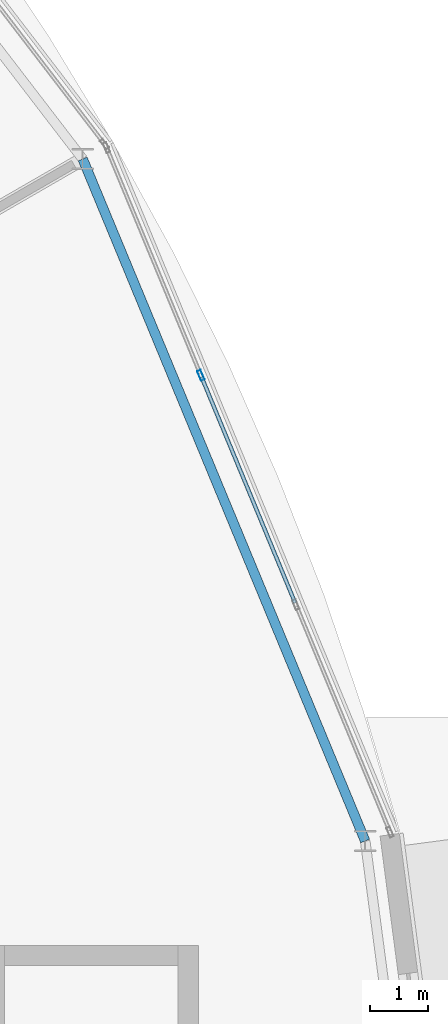
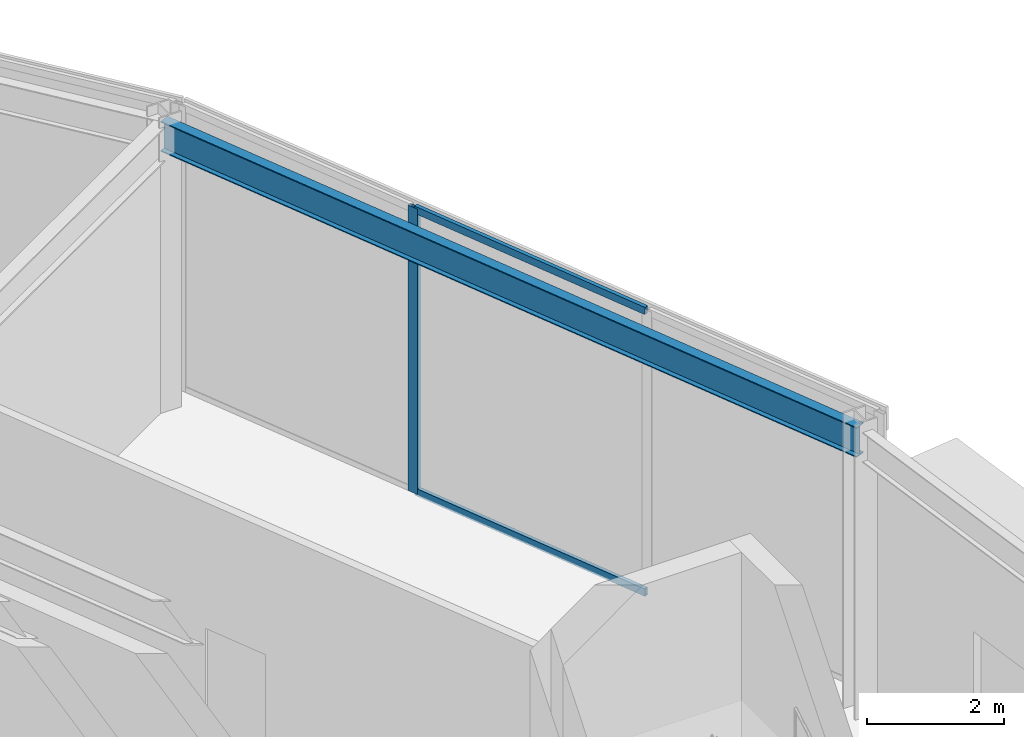
# One storey, part 86 of 168: 3 members, 1 beam, 1 element without a shape of its own.
"""IFC4 building model written with IfcOpenShell, lengths in metres."""

from ifc_helpers import new_model, si_unit, direction, frame, origin, origin_2d, place, context, subcontext, project, spatial, hollow_rectangle, i_section, extrude, material, material_profile, profile_set, type_object, element, aggregate, save


model = new_model("IFC4")

# Units and contexts
model_context = context("Model", 3, precision=1e-05, world=origin(), true_north=direction((0.0, 1.0)))
body_context = subcontext(model_context, "Body", "Model", "MODEL_VIEW")
ifc_project = project(units=[si_unit("LENGTHUNIT", "METRE"), si_unit("AREAUNIT", "SQUARE_METRE"), si_unit("VOLUMEUNIT", "CUBIC_METRE"), si_unit("PLANEANGLEUNIT", "RADIAN"), si_unit("MASSUNIT", "GRAM", prefix="KILO")], contexts=[model_context])

# Site, building, storey
site_placement = place(None, origin())
site = spatial("IfcSite", under=ifc_project, at=site_placement, CompositionType="ELEMENT")
building_placement = place(site_placement, origin())
building = spatial("IfcBuilding", under=site, at=building_placement, Name="Almandine Court Research Institute", CompositionType="ELEMENT")
storey_placement = place(building_placement, origin())
storey = spatial("IfcBuildingStorey", under=building, at=storey_placement, Name="L00", CompositionType="ELEMENT", Elevation=0.0)

# Beam
ifc_material_1 = material(Name="Steel ASTM A992 Grade 50", Category="steel")
ifc_material_profile_1 = material_profile(ifc_material_1, i_section(OverallWidth=0.166015625, OverallDepth=0.534912109375, WebThickness=0.010009765625, FlangeThickness=0.01708984375, at=origin_2d()), Name="W530x85")
ifc_profile_set_1 = profile_set([ifc_material_profile_1], Name="Steel ASTM A992 Grade 50")
beam_type = type_object("IfcBeamType", Name="Beam-G-05-E", PredefinedType="SPANDREL", material=ifc_profile_set_1)
beam_placement = place(storey_placement, frame((134.23388671875, 68.656005859375, 4.802978515625), z_axis=(-0.382653578879, 0.923891897665, 0.0), x_axis=(-0.923891897665, -0.382653578879, 0.0)))
element("IfcBeam", 1, at=beam_placement, inside=storey, type_object=beam_type, Name="L00 Drum OUT Ring Beam 01", PredefinedType="SPANDREL", context=body_context, shape_type="SweptSolid", body=[
    extrude(i_section(OverallWidth=0.166015625, OverallDepth=0.534912109375, WebThickness=0.010009765625, FlangeThickness=0.01708984375, at=origin_2d()), origin(), (0.0, 0.0, 1.0), 12.765625),
])

# Curtain wall, members
ifc_material_2 = material(Name="Unitised Curtain Wall Framing and Solar Glazing", Category="glass")
curtain_wall_type = type_object("IfcCurtainWallType", Name="CW-CWJ-17", PredefinedType="USERDEFINED", material=ifc_material_2)
curtain_wall_placement = place(storey_placement, origin())
curtain_wall = element("IfcCurtainWall", 2, at=curtain_wall_placement, inside=storey, type_object=curtain_wall_type, Name="L00 Stacked-Ring Drum Outer Solar Jali Screen 01", ObjectType="SOLAR JALI SCREEN", PredefinedType="USERDEFINED")
ifc_material_3 = material(Name="Anodised Aluminium AW-6063-T6", Category="aluminium")
ifc_material_profile_2 = material_profile(ifc_material_3, hollow_rectangle(XDim=0.06494140625, YDim=0.179931640625, WallThickness=0.00390625, at=origin_2d()), Name="ALU RHS 65x180x4")
ifc_profile_set_2 = profile_set([ifc_material_profile_2], Name="Anodised Aluminium AW-6063-T6")
member_type_1 = type_object("IfcMemberType", Name="CWMul-65x180", PredefinedType="MULLION", material=ifc_profile_set_2)
member_1_placement = place(storey_placement, frame((131.3916015625, 76.7109375, 0.0), z_axis=(0.0, 0.0, 1.0), x_axis=(0.923888124321, 0.382662689242, 0.0)))
member_1 = element("IfcMember", 3, at=member_1_placement, type_object=member_type_1, Name="CWJ-17 mullion 2", PredefinedType="MULLION", context=body_context, shape_type="SweptSolid", body=[
    extrude(hollow_rectangle(XDim=0.06494140625, YDim=0.179931640625, WallThickness=0.00390625, at=origin_2d()), origin(), (0.0, 0.0, 1.0), 5.070068359375),
])
ifc_material_profile_3 = material_profile(ifc_material_3, hollow_rectangle(XDim=0.06494140625, YDim=0.1298828125, WallThickness=0.00390625, at=origin_2d()), Name="ALU RHS 65x130x4")
ifc_profile_set_3 = profile_set([ifc_material_profile_3], Name="Anodised Aluminium AW-6063-T6")
member_type_2 = type_object("IfcMemberType", Name="CWTrn-65x130", PredefinedType="NOTDEFINED", material=ifc_profile_set_3)
member_2_placement = place(storey_placement, frame((131.404052734375, 76.680908203125, 0.032470703125), z_axis=(0.382703712437, -0.92387113197, 0.0), x_axis=(0.92387113197, 0.382703712437, 0.0)))
member_2 = element("IfcMember", 4, at=member_2_placement, type_object=member_type_2, Name="CWJ-17 transom 2.1", ObjectType="TRANSOM", PredefinedType="USERDEFINED", context=body_context, shape_type="SweptSolid", body=[
    extrude(hollow_rectangle(XDim=0.06494140625, YDim=0.1298828125, WallThickness=0.00390625, at=origin_2d()), origin(), (0.0, 0.0, 1.0), 4.2275390625),
])
member_3_placement = place(storey_placement, frame((131.404052734375, 76.680908203125, 5.03759765625), z_axis=(0.382703712437, -0.92387113197, 0.0), x_axis=(0.92387113197, 0.382703712437, 0.0)))
member_3 = element("IfcMember", 5, at=member_3_placement, type_object=member_type_2, Name="CWJ-17 transom 2.2", ObjectType="TRANSOM", PredefinedType="USERDEFINED", context=body_context, shape_type="SweptSolid", body=[
    extrude(hollow_rectangle(XDim=0.06494140625, YDim=0.1298828125, WallThickness=0.00390625, at=origin_2d()), origin(), (0.0, 0.0, 1.0), 4.2275390625),
])
aggregate(curtain_wall, [member_1, member_2, member_3])

save(model, "model.ifc")
